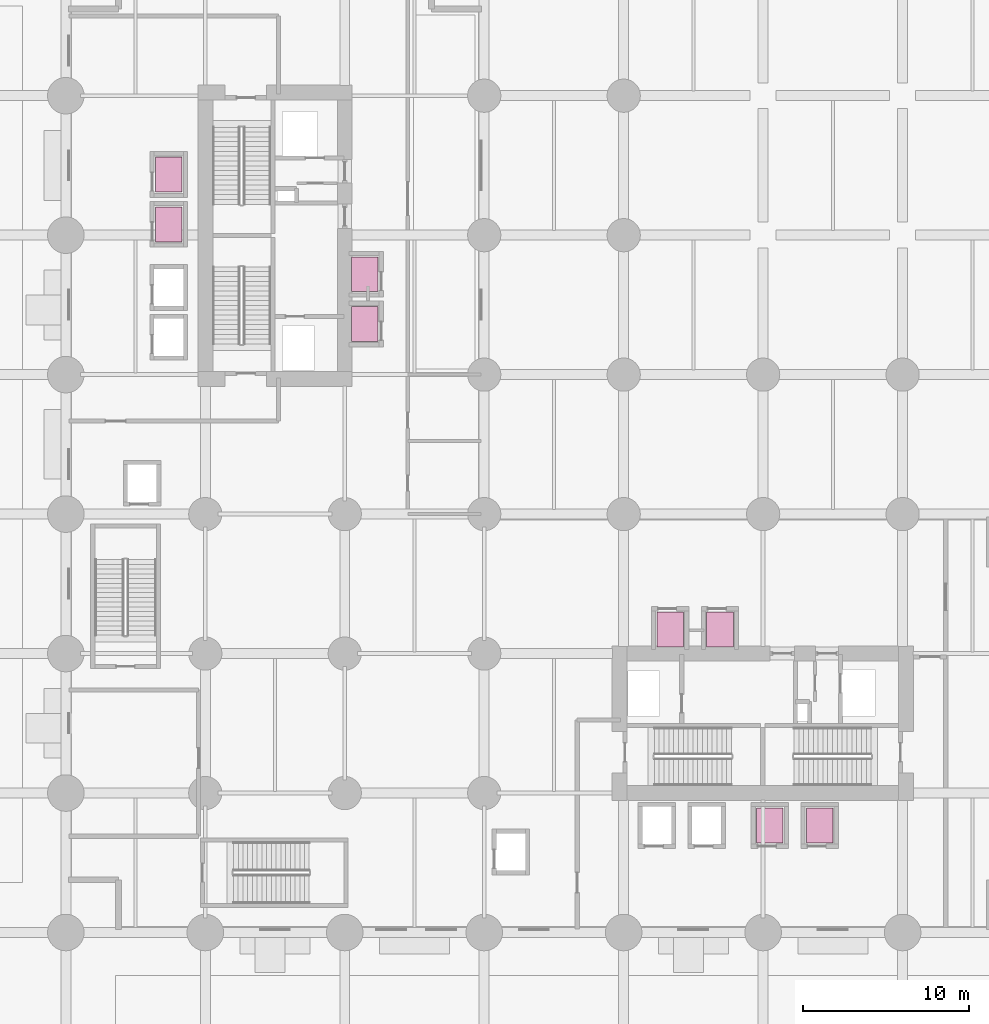
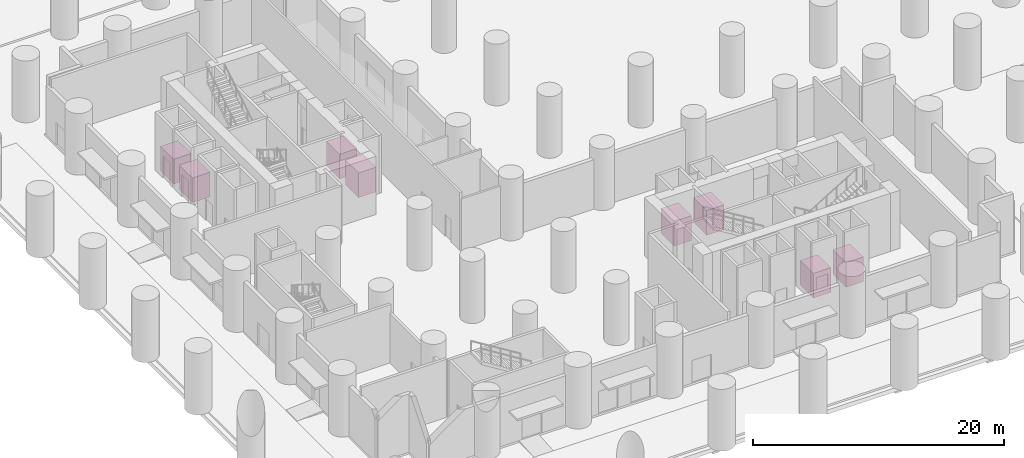
# One storey, part 13 of 13: 8 transport elements.
"""IFC4 building model written with IfcOpenShell, lengths in metres."""

from ifc_helpers import new_model, si_unit, direction, frame, origin, origin_2d, place, context, subcontext, project, spatial, rectangle, extrude, material, type_object, element, save


model = new_model("IFC4")

# Units and contexts
model_context = context("Model", 3, precision=1e-05, world=origin(), true_north=direction((0.0, 1.0)))
body_context = subcontext(model_context, "Body", "Model", "MODEL_VIEW")
ifc_project = project(units=[si_unit("LENGTHUNIT", "METRE"), si_unit("AREAUNIT", "SQUARE_METRE"), si_unit("VOLUMEUNIT", "CUBIC_METRE"), si_unit("PLANEANGLEUNIT", "RADIAN"), si_unit("MASSUNIT", "GRAM", prefix="KILO")], contexts=[model_context])

# Site, building, storey
site_placement = place(None, origin())
site = spatial("IfcSite", under=ifc_project, at=site_placement, CompositionType="ELEMENT")
building_placement = place(site_placement, origin())
building = spatial("IfcBuilding", under=site, at=building_placement, Name="Koriwani Terraces Tower", CompositionType="ELEMENT")
storey_placement = place(building_placement, origin())
storey = spatial("IfcBuildingStorey", under=building, at=storey_placement, Name="L00", CompositionType="ELEMENT", Elevation=0.0)

# Transport elements
ifc_material = material(Name="Steel ASTM A572 Grade 50", Category="steel")
transport_element_type = type_object("IfcTransportElementType", Name="LIFT_PASSENGER_1600", PredefinedType="ELEVATOR", material=ifc_material)
for number, where, z_axis, x_axis, name in (
    (1, (14.60009765625, 51.050048828125, 0.0), (0.0, 0.0, 1.0), (1.0, 0.0, 0.0), "Bank 2 Mid-Rise Hotel and Lower Residential Passenger Lifts (PE-M1)"),
    (2, (14.60009765625, 54.050048828125, 0.0), (0.0, 0.0, 1.0), (1.0, 0.0, 0.0), "Bank 2 Mid-Rise Hotel and Lower Residential Passenger Lifts (PE-M2)"),
    (3, (50.800048828125, 14.85009765625, 0.0), (0.0, 0.0, 1.0), (1.0, 0.0, 0.0), "Bank 2 Mid-Rise Hotel and Lower Residential Passenger Lifts (PE-M3)"),
    (4, (53.800048828125, 14.85009765625, 0.0), (0.0, 0.0, 1.0), (1.0, 0.0, 0.0), "Bank 2 Mid-Rise Hotel and Lower Residential Passenger Lifts (PE-M4)"),
    (5, (26.39990234375, 45.050048828125, 0.0), (0.0, 0.0, 1.0), (1.0, 0.0, 0.0), "Bank 3 High-Rise Residential and Sky-Lounge Passenger Lifts (PE-H1)"),
    (6, (26.39990234375, 48.050048828125, 0.0), (0.0, 0.0, 1.0), (1.0, 0.0, 0.0), "Bank 3 High-Rise Residential and Sky-Lounge Passenger Lifts (PE-H2)"),
    (7, (44.800048828125, 26.64990234375, 0.0), (0.0, 0.0, 1.0), (1.0, 0.0, 0.0), "Bank 3 High-Rise Residential and Sky-Lounge Passenger Lifts (PE-H3)"),
    (8, (47.800048828125, 26.64990234375, 0.0), (0.0, 0.0, 1.0), (1.0, 0.0, 0.0), "Bank 3 High-Rise Residential and Sky-Lounge Passenger Lifts (PE-H4)"),
):
    element("IfcTransportElement", number, at=place(storey_placement, frame(where, z_axis=z_axis, x_axis=x_axis)), inside=storey, type_object=transport_element_type, Name=name, PredefinedType="ELEVATOR", context=body_context, shape_type="SweptSolid", body=[
        extrude(rectangle(XDim=1.60009765625, YDim=2.10009765625, at=origin_2d()), origin(), (0.0, 0.0, 1.0), 2.39990234375),
    ])

save(model, "model.ifc")
